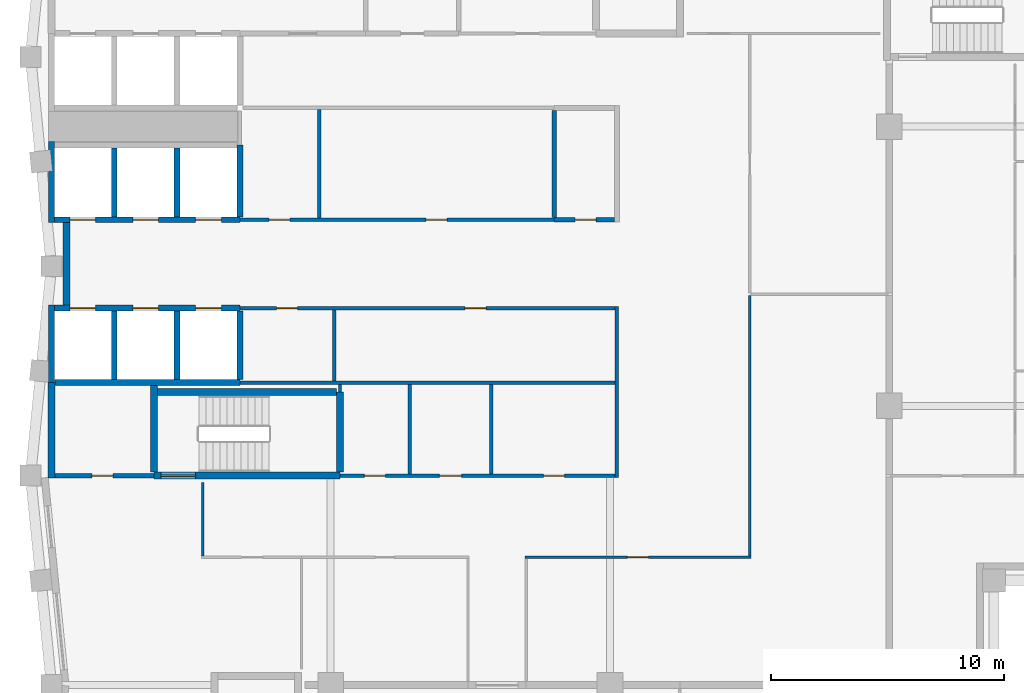
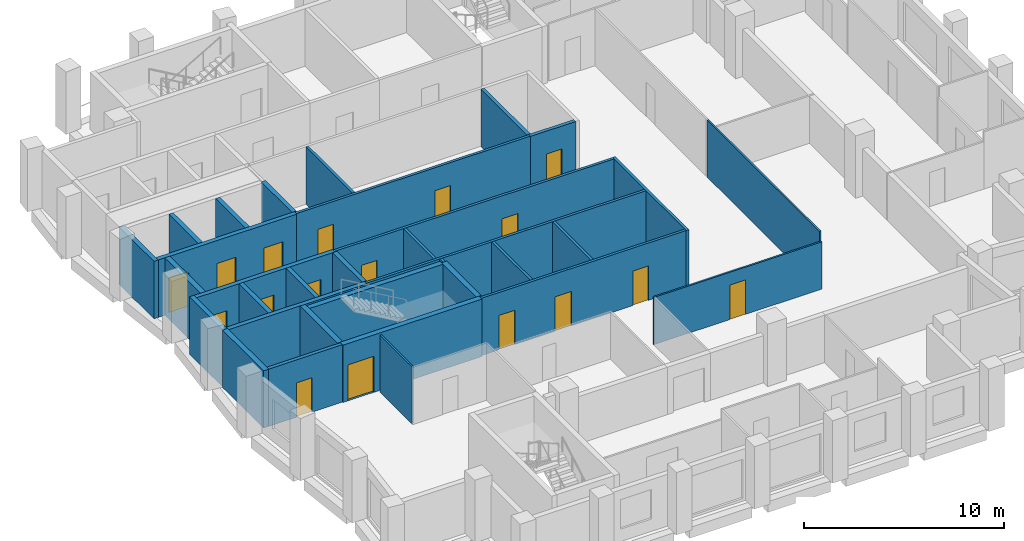
# One storey, part 3 of 7: 33 walls, 17 doors, 17 openings.
"""IFC4 building model written with IfcOpenShell, lengths in metres."""

from ifc_helpers import new_model, si_unit, direction, frame, frame_2d, origin, place, context, subcontext, project, spatial, rectangle, extrude, material, layer, layer_set, type_object, element, fill, save


model = new_model("IFC4")

# Units and contexts
model_context = context("Model", 3, precision=1e-05, world=origin(), true_north=direction((0.0, 1.0)))
body_context = subcontext(model_context, "Body", "Model", "MODEL_VIEW")
ifc_project = project(units=[si_unit("LENGTHUNIT", "METRE"), si_unit("AREAUNIT", "SQUARE_METRE"), si_unit("VOLUMEUNIT", "CUBIC_METRE"), si_unit("PLANEANGLEUNIT", "RADIAN"), si_unit("MASSUNIT", "GRAM", prefix="KILO")], contexts=[model_context])

# Site, building, storey
site_placement = place(None, origin())
site = spatial("IfcSite", under=ifc_project, at=site_placement, CompositionType="ELEMENT")
building_placement = place(site_placement, origin())
building = spatial("IfcBuilding", under=site, at=building_placement, Name="Brondeck Convention Tower", CompositionType="ELEMENT")
storey_placement = place(building_placement, frame((0.0, 0.0, 267.60009765625)))
storey = spatial("IfcBuildingStorey", under=building, at=storey_placement, Name="L66", CompositionType="ELEMENT", Elevation=267.60009765625)

# Wall, openings, doors
ifc_material_1 = material(Name="Concrete C50/60", Category="concrete")
ifc_layer_1 = layer(ifc_material_1, 0.14990234375)
ifc_layer_set_1 = layer_set([ifc_layer_1], Name="Core beam-seat wall 150 Concrete C50/60")
wall_type_1 = type_object("IfcWallType", Name="Core beam-seat wall 150 Concrete C50/60", PredefinedType="SHEAR", material=ifc_layer_set_1)
wall_1_placement = place(storey_placement, frame((12.39990234375, 36.0, 0.0), z_axis=(0.0, 0.0, 1.0), x_axis=(1.0, 0.0, 0.0)))
wall_1 = element("IfcWall", 1, at=wall_1_placement, inside=storey, type_object=wall_type_1, Name="L66 core wall", PredefinedType="SHEAR", context=body_context, shape_type="SweptSolid", body=[
    extrude(rectangle(XDim=11.8251953125, YDim=0.14990234375, at=frame_2d((5.91259765625, 0.0))), origin(), (0.0, 0.0, 1.0), 3.5),
])
opening_1_placement = place(wall_1_placement, frame((1.050048828125, 0.0, 0.0)))
opening_1 = element("IfcOpeningElement", 2, at=opening_1_placement, cuts=wall_1, Name="Opening C37-03", PredefinedType="OPENING", context=body_context, shape_type="SweptSolid", body=[
    extrude(rectangle(XDim=0.89990234375, YDim=2.10009765625, at=frame_2d((0.449951171875, 1.050048828125))), frame((0.0, 0.0849609375, 0.0), z_axis=(0.0, -1.0, 0.0), x_axis=(1.0, 0.0, 0.0)), (0.0, 0.0, 1.0), 0.169921875),
])
opening_2_placement = place(wall_1_placement, frame((4.27490234375, 0.0, 0.0)))
opening_2 = element("IfcOpeningElement", 3, at=opening_2_placement, cuts=wall_1, Name="Opening C37-04", PredefinedType="OPENING", context=body_context, shape_type="SweptSolid", body=[
    extrude(rectangle(XDim=0.949951171875, YDim=2.10009765625, at=frame_2d((0.47509765625, 1.050048828125))), frame((0.0, 0.0849609375, 0.0), z_axis=(0.0, -1.0, 0.0), x_axis=(1.0, 0.0, 0.0)), (0.0, 0.0, 1.0), 0.169921875),
])
opening_3_placement = place(wall_1_placement, frame((8.75, 0.0, 0.0)))
opening_3 = element("IfcOpeningElement", 4, at=opening_3_placement, cuts=wall_1, Name="Opening C37-05", PredefinedType="OPENING", context=body_context, shape_type="SweptSolid", body=[
    extrude(rectangle(XDim=0.89990234375, YDim=2.10009765625, at=frame_2d((0.449951171875, 1.050048828125))), frame((0.0, 0.0849609375, 0.0), z_axis=(0.0, -1.0, 0.0), x_axis=(1.0, 0.0, 0.0)), (0.0, 0.0, 1.0), 0.169921875),
])
ifc_material_2 = material(Name="Steel fire door", Category="steel")
door_type_1 = type_object("IfcDoorType", Name="Room door 900x2100 EI 60", OperationType="NOTDEFINED", PredefinedType="DOOR", material=ifc_material_2)
door_1_placement = place(opening_1_placement, origin())
door_1 = element("IfcDoor", 5, at=door_1_placement, inside=storey, type_object=door_type_1, Name="L66 Room door FR-1", OperationType="SINGLE_SWING_RIGHT", OverallHeight=2.10009765625, OverallWidth=0.89990234375, PredefinedType="DOOR", context=body_context, shape_type="SweptSolid", body=[
    extrude(rectangle(XDim=0.89990234375, YDim=2.10009765625, at=frame_2d((0.449951171875, 1.050048828125))), frame((0.0, 0.02490234375, 0.0), z_axis=(0.0, -1.0, 0.0), x_axis=(1.0, 0.0, 0.0)), (0.0, 0.0, 1.0), 0.050048828125),
])
fill(opening_1, door_1)
door_2_placement = place(opening_3_placement, origin())
door_2 = element("IfcDoor", 6, at=door_2_placement, inside=storey, type_object=door_type_1, Name="L66 Room door FR-3", OperationType="SINGLE_SWING_RIGHT", OverallHeight=2.10009765625, OverallWidth=0.89990234375, PredefinedType="DOOR", context=body_context, shape_type="SweptSolid", body=[
    extrude(rectangle(XDim=0.89990234375, YDim=2.10009765625, at=frame_2d((0.449951171875, 1.050048828125))), frame((0.0, 0.02490234375, 0.0), z_axis=(0.0, -1.0, 0.0), x_axis=(1.0, 0.0, 0.0)), (0.0, 0.0, 1.0), 0.050048828125),
])
fill(opening_3, door_2)
door_type_2 = type_object("IfcDoorType", Name="Room door 950x2100 EI 60", OperationType="NOTDEFINED", PredefinedType="DOOR", material=ifc_material_2)
door_3_placement = place(opening_2_placement, origin())
door_3 = element("IfcDoor", 7, at=door_3_placement, inside=storey, type_object=door_type_2, Name="L66 Room door FR-2", OperationType="SINGLE_SWING_LEFT", OverallHeight=2.10009765625, OverallWidth=0.949951171875, PredefinedType="DOOR", context=body_context, shape_type="SweptSolid", body=[
    extrude(rectangle(XDim=0.949951171875, YDim=2.10009765625, at=frame_2d((0.47509765625, 1.050048828125))), frame((0.0, 0.02490234375, 0.0), z_axis=(0.0, -1.0, 0.0), x_axis=(1.0, 0.0, 0.0)), (0.0, 0.0, 1.0), 0.050048828125),
])
fill(opening_2, door_3)

# Walls
ifc_layer_2 = layer(ifc_material_1, 0.300048828125)
ifc_layer_set_2 = layer_set([ifc_layer_2], Name="Core outer wall 300 Concrete C50/60")
wall_type_2 = type_object("IfcWallType", Name="Core outer wall 300 Concrete C50/60", PredefinedType="SHEAR", material=ifc_layer_set_2)
wall_2_placement = place(storey_placement, frame((0.0, 35.89990234375, 0.0), z_axis=(0.0, 0.0, 1.0), x_axis=(0.0, 1.0, 0.0)))
element("IfcWall", 8, at=wall_2_placement, inside=storey, type_object=wall_type_2, Name="L66 core wall", PredefinedType="SHEAR", context=body_context, shape_type="SweptSolid", body=[
    extrude(rectangle(XDim=4.10009765625, YDim=0.300048828125, at=frame_2d((2.050048828125, 0.0))), origin(), (0.0, 0.0, 1.0), 3.5),
])
wall_3_placement = place(storey_placement, frame((0.64990234375, 43.324951171875, 0.0), z_axis=(0.0, 0.0, 1.0), x_axis=(0.0, 1.0, 0.0)))
element("IfcWall", 9, at=wall_3_placement, inside=storey, type_object=wall_type_2, Name="L66 core wall", PredefinedType="SHEAR", context=body_context, shape_type="SweptSolid", body=[
    extrude(rectangle(XDim=3.550048828125, YDim=0.300048828125, at=frame_2d((1.77490234375, 0.0))), origin(), (0.0, 0.0, 1.0), 3.5),
])
ifc_material_3 = material(Name="Fire-rated gypsum board partition")
ifc_layer_3 = layer(ifc_material_3, 0.14990234375)
ifc_layer_set_3 = layer_set([ifc_layer_3], Name="Core partition 150 EI 60")
wall_type_3 = type_object("IfcWallType", Name="Core partition 150 EI 60", PredefinedType="PARTITIONING", material=ifc_layer_set_3)
wall_4_placement = place(storey_placement, frame((8.10009765625, 40.0, 0.0), z_axis=(0.0, 0.0, 1.0), x_axis=(1.0, 0.0, 0.0)))
element("IfcWall", 10, at=wall_4_placement, inside=storey, type_object=wall_type_3, Name="L66 core wall", PredefinedType="PARTITIONING", context=body_context, shape_type="SweptSolid", body=[
    extrude(rectangle(XDim=16.125, YDim=0.14990234375, at=frame_2d((8.0625, 0.0))), origin(), (0.0, 0.0, 1.0), 3.5),
])

# Wall, openings, doors
wall_5_placement = place(storey_placement, frame((8.10009765625, 43.199951171875, 0.0), z_axis=(0.0, 0.0, 1.0), x_axis=(1.0, 0.0, 0.0)))
wall_5 = element("IfcWall", 11, at=wall_5_placement, inside=storey, type_object=wall_type_3, Name="L66 core wall", PredefinedType="PARTITIONING", context=body_context, shape_type="SweptSolid", body=[
    extrude(rectangle(XDim=16.125, YDim=0.14990234375, at=frame_2d((8.0625, 0.0))), origin(), (0.0, 0.0, 1.0), 3.5),
])
opening_4_placement = place(wall_5_placement, frame((1.574951171875, 0.0, 0.0)))
opening_4 = element("IfcOpeningElement", 12, at=opening_4_placement, cuts=wall_5, Name="Opening C37-09", PredefinedType="OPENING", context=body_context, shape_type="SweptSolid", body=[
    extrude(rectangle(XDim=0.89990234375, YDim=2.10009765625, at=frame_2d((0.449951171875, 1.050048828125))), frame((0.0, 0.0849609375, 0.0), z_axis=(0.0, -1.0, 0.0), x_axis=(1.0, 0.0, 0.0)), (0.0, 0.0, 1.0), 0.169921875),
])
opening_5_placement = place(wall_5_placement, frame((9.675048828125, 0.0, 0.0)))
opening_5 = element("IfcOpeningElement", 13, at=opening_5_placement, cuts=wall_5, Name="Opening C37-10", PredefinedType="OPENING", context=body_context, shape_type="SweptSolid", body=[
    extrude(rectangle(XDim=0.89990234375, YDim=2.10009765625, at=frame_2d((0.449951171875, 1.050048828125))), frame((0.0, 0.0849609375, 0.0), z_axis=(0.0, -1.0, 0.0), x_axis=(1.0, 0.0, 0.0)), (0.0, 0.0, 1.0), 0.169921875),
])
door_4_placement = place(opening_4_placement, origin())
door_4 = element("IfcDoor", 14, at=door_4_placement, inside=storey, type_object=door_type_1, Name="L66 Room door FZ-S-8.1-1", OperationType="SINGLE_SWING_RIGHT", OverallHeight=2.10009765625, OverallWidth=0.89990234375, PredefinedType="DOOR", context=body_context, shape_type="SweptSolid", body=[
    extrude(rectangle(XDim=0.89990234375, YDim=2.10009765625, at=frame_2d((0.449951171875, 1.050048828125))), frame((0.0, 0.02490234375, 0.0), z_axis=(0.0, -1.0, 0.0), x_axis=(1.0, 0.0, 0.0)), (0.0, 0.0, 1.0), 0.050048828125),
])
fill(opening_4, door_4)
door_5_placement = place(opening_5_placement, origin())
door_5 = element("IfcDoor", 15, at=door_5_placement, inside=storey, type_object=door_type_1, Name="L66 Room door FZ-S-8.1-2", OperationType="SINGLE_SWING_LEFT", OverallHeight=2.10009765625, OverallWidth=0.89990234375, PredefinedType="DOOR", context=body_context, shape_type="SweptSolid", body=[
    extrude(rectangle(XDim=0.89990234375, YDim=2.10009765625, at=frame_2d((0.449951171875, 1.050048828125))), frame((0.0, 0.02490234375, 0.0), z_axis=(0.0, -1.0, 0.0), x_axis=(1.0, 0.0, 0.0)), (0.0, 0.0, 1.0), 0.050048828125),
])
fill(opening_5, door_5)

wall_6_placement = place(storey_placement, frame((8.10009765625, 47.0, 0.0), z_axis=(0.0, 0.0, 1.0), x_axis=(1.0, 0.0, 0.0)))
wall_6 = element("IfcWall", 16, at=wall_6_placement, inside=storey, type_object=wall_type_3, Name="L66 core wall", PredefinedType="PARTITIONING", context=body_context, shape_type="SweptSolid", body=[
    extrude(rectangle(XDim=13.5, YDim=0.14990234375, at=frame_2d((6.75, 0.0))), origin(), (0.0, 0.0, 1.0), 3.5),
])
opening_6_placement = place(wall_6_placement, frame((1.25, 0.0, 0.0)))
opening_6 = element("IfcOpeningElement", 17, at=opening_6_placement, cuts=wall_6, Name="Opening C37-07", PredefinedType="OPENING", context=body_context, shape_type="SweptSolid", body=[
    extrude(rectangle(XDim=0.89990234375, YDim=2.10009765625, at=frame_2d((0.449951171875, 1.050048828125))), frame((0.0, 0.0849609375, 0.0), z_axis=(0.0, -1.0, 0.0), x_axis=(1.0, 0.0, 0.0)), (0.0, 0.0, 1.0), 0.169921875),
])
opening_7_placement = place(wall_6_placement, frame((8.0, 0.0, 0.0)))
opening_7 = element("IfcOpeningElement", 18, at=opening_7_placement, cuts=wall_6, Name="Opening C37-08", PredefinedType="OPENING", context=body_context, shape_type="SweptSolid", body=[
    extrude(rectangle(XDim=0.89990234375, YDim=2.10009765625, at=frame_2d((0.449951171875, 1.050048828125))), frame((0.0, 0.0849609375, 0.0), z_axis=(0.0, -1.0, 0.0), x_axis=(1.0, 0.0, 0.0)), (0.0, 0.0, 1.0), 0.169921875),
])
door_6_placement = place(opening_6_placement, origin())
door_6 = element("IfcDoor", 19, at=door_6_placement, inside=storey, type_object=door_type_1, Name="L66 Room door FZ-N-8.1-1", OperationType="SINGLE_SWING_LEFT", OverallHeight=2.10009765625, OverallWidth=0.89990234375, PredefinedType="DOOR", context=body_context, shape_type="SweptSolid", body=[
    extrude(rectangle(XDim=0.89990234375, YDim=2.10009765625, at=frame_2d((0.449951171875, 1.050048828125))), frame((0.0, 0.02490234375, 0.0), z_axis=(0.0, -1.0, 0.0), x_axis=(1.0, 0.0, 0.0)), (0.0, 0.0, 1.0), 0.050048828125),
])
fill(opening_6, door_6)
door_7_placement = place(opening_7_placement, origin())
door_7 = element("IfcDoor", 20, at=door_7_placement, inside=storey, type_object=door_type_1, Name="L66 Room door FZ-N-8.1-2", OperationType="SINGLE_SWING_RIGHT", OverallHeight=2.10009765625, OverallWidth=0.89990234375, PredefinedType="DOOR", context=body_context, shape_type="SweptSolid", body=[
    extrude(rectangle(XDim=0.89990234375, YDim=2.10009765625, at=frame_2d((0.449951171875, 1.050048828125))), frame((0.0, 0.02490234375, 0.0), z_axis=(0.0, -1.0, 0.0), x_axis=(1.0, 0.0, 0.0)), (0.0, 0.0, 1.0), 0.050048828125),
])
fill(opening_7, door_7)

# Walls
wall_7_placement = place(storey_placement, frame((11.5, 47.074951171875, 0.0), z_axis=(0.0, 0.0, 1.0), x_axis=(0.0, 1.0, 0.0)))
element("IfcWall", 21, at=wall_7_placement, inside=storey, type_object=wall_type_3, Name="L66 core wall", PredefinedType="PARTITIONING", context=body_context, shape_type="SweptSolid", body=[
    extrude(rectangle(XDim=4.650146484375, YDim=0.14990234375, at=frame_2d((2.3251953125, 0.0))), origin(), (0.0, 0.0, 1.0), 3.5),
])
wall_8_placement = place(storey_placement, frame((12.14990234375, 40.074951171875, 0.0), z_axis=(0.0, 0.0, 1.0), x_axis=(0.0, 1.0, 0.0)))
element("IfcWall", 22, at=wall_8_placement, inside=storey, type_object=wall_type_3, Name="L66 core wall", PredefinedType="PARTITIONING", context=body_context, shape_type="SweptSolid", body=[
    extrude(rectangle(XDim=3.050048828125, YDim=0.14990234375, at=frame_2d((1.52490234375, 0.0))), origin(), (0.0, 0.0, 1.0), 3.5),
])
wall_9_placement = place(storey_placement, frame((12.39990234375, 39.60009765625, 0.0), z_axis=(0.0, 0.0, 1.0), x_axis=(0.0, 1.0, 0.0)))
element("IfcWall", 23, at=wall_9_placement, inside=storey, type_object=wall_type_3, Name="L66 core wall", PredefinedType="PARTITIONING", context=body_context, shape_type="SweptSolid", body=[
    extrude(rectangle(XDim=0.324951171875, YDim=0.14990234375, at=frame_2d((0.16259765625, 0.0))), origin(), (0.0, 0.0, 1.0), 3.5),
])
for number, where, z_axis, x_axis, name in (
    (24, (15.39990234375, 36.074951171875, 0.0), (0.0, 0.0, 1.0), (0.0, 1.0, 0.0), "L66 core wall"),
    (25, (18.89990234375, 36.074951171875, 0.0), (0.0, 0.0, 1.0), (0.0, 1.0, 0.0), "L66 core wall"),
):
    element("IfcWall", number, at=place(storey_placement, frame(where, z_axis=z_axis, x_axis=x_axis)), inside=storey, type_object=wall_type_3, Name=name, PredefinedType="PARTITIONING", context=body_context, shape_type="SweptSolid", body=[
        extrude(rectangle(XDim=3.85009765625, YDim=0.14990234375, at=frame_2d((1.925048828125, 0.0))), origin(), (0.0, 0.0, 1.0), 3.5),
    ])
wall_10_placement = place(storey_placement, frame((24.300048828125, 35.925048828125, 0.0), z_axis=(0.0, 0.0, 1.0), x_axis=(0.0, 1.0, 0.0)))
element("IfcWall", 26, at=wall_10_placement, inside=storey, type_object=wall_type_3, Name="L66 core wall", PredefinedType="PARTITIONING", context=body_context, shape_type="SweptSolid", body=[
    extrude(rectangle(XDim=7.349853515625, YDim=0.14990234375, at=frame_2d((3.6748046875, 0.0))), origin(), (0.0, 0.0, 1.0), 3.5),
])
ifc_layer_4 = layer(ifc_material_1, 0.25)
ifc_layer_set_4 = layer_set([ifc_layer_4], Name="Lift shaft wall 250 Concrete C50/60")
wall_type_4 = type_object("IfcWallType", Name="Lift shaft wall 250 Concrete C50/60", PredefinedType="SHEAR", material=ifc_layer_set_4)
wall_11_placement = place(storey_placement, frame((0.14990234375, 40.0, 0.0), z_axis=(0.0, 0.0, 1.0), x_axis=(1.0, 0.0, 0.0)))
element("IfcWall", 27, at=wall_11_placement, inside=storey, type_object=wall_type_4, Name="L66 core wall", PredefinedType="SHEAR", context=body_context, shape_type="SweptSolid", body=[
    extrude(rectangle(XDim=7.9501953125, YDim=0.25, at=frame_2d((3.97509765625, 0.0))), origin(), (0.0, 0.0, 1.0), 3.5),
])

# Wall, openings, doors
wall_12_placement = place(storey_placement, frame((0.125, 43.199951171875, 0.0), z_axis=(0.0, 0.0, 1.0), x_axis=(1.0, 0.0, 0.0)))
wall_12 = element("IfcWall", 28, at=wall_12_placement, inside=storey, type_object=wall_type_4, Name="L66 core wall", PredefinedType="SHEAR", context=body_context, shape_type="SweptSolid", body=[
    extrude(rectangle(XDim=7.97509765625, YDim=0.25, at=frame_2d((3.987548828125, 0.0))), origin(), (0.0, 0.0, 1.0), 3.5),
])
opening_8_placement = place(wall_12_placement, frame((0.675048828125, 0.0, 0.0)))
opening_8 = element("IfcOpeningElement", 29, at=opening_8_placement, cuts=wall_12, Name="Opening C37-21", PredefinedType="OPENING", context=body_context, shape_type="SweptSolid", body=[
    extrude(rectangle(XDim=1.10009765625, YDim=2.10009765625, at=frame_2d((0.550048828125, 1.050048828125))), frame((0.0, 0.135009765625, 0.0), z_axis=(0.0, -1.0, 0.0), x_axis=(1.0, 0.0, 0.0)), (0.0, 0.0, 1.0), 0.27001953125),
])
opening_9_placement = place(wall_12_placement, frame((3.375, 0.0, 0.0)))
opening_9 = element("IfcOpeningElement", 30, at=opening_9_placement, cuts=wall_12, Name="Opening C37-22", PredefinedType="OPENING", context=body_context, shape_type="SweptSolid", body=[
    extrude(rectangle(XDim=1.10009765625, YDim=2.10009765625, at=frame_2d((0.550048828125, 1.050048828125))), frame((0.0, 0.135009765625, 0.0), z_axis=(0.0, -1.0, 0.0), x_axis=(1.0, 0.0, 0.0)), (0.0, 0.0, 1.0), 0.27001953125),
])
opening_10_placement = place(wall_12_placement, frame((6.074951171875, 0.0, 0.0)))
opening_10 = element("IfcOpeningElement", 31, at=opening_10_placement, cuts=wall_12, Name="Opening C37-23", PredefinedType="OPENING", context=body_context, shape_type="SweptSolid", body=[
    extrude(rectangle(XDim=1.10009765625, YDim=2.10009765625, at=frame_2d((0.550048828125, 1.050048828125))), frame((0.0, 0.135009765625, 0.0), z_axis=(0.0, -1.0, 0.0), x_axis=(1.0, 0.0, 0.0)), (0.0, 0.0, 1.0), 0.27001953125),
])
ifc_material_4 = material(Name="Stainless steel lift door", Category="steel")
door_type_3 = type_object("IfcDoorType", Name="Lift landing door 1100x2100 EI 180", OperationType="DOUBLE_DOOR_SLIDING", PredefinedType="DOOR", material=ifc_material_4)
door_8_placement = place(opening_8_placement, origin())
door_8 = element("IfcDoor", 32, at=door_8_placement, inside=storey, type_object=door_type_3, Name="L66 Lift landing door HR1", OperationType="DOUBLE_DOOR_SLIDING", OverallHeight=2.10009765625, OverallWidth=1.10009765625, PredefinedType="DOOR", context=body_context, shape_type="SweptSolid", body=[
    extrude(rectangle(XDim=1.10009765625, YDim=2.10009765625, at=frame_2d((0.550048828125, 1.050048828125))), frame((0.0, 0.02490234375, 0.0), z_axis=(0.0, -1.0, 0.0), x_axis=(1.0, 0.0, 0.0)), (0.0, 0.0, 1.0), 0.050048828125),
])
fill(opening_8, door_8)
door_9_placement = place(opening_9_placement, origin())
door_9 = element("IfcDoor", 33, at=door_9_placement, inside=storey, type_object=door_type_3, Name="L66 Lift landing door HR2", OperationType="DOUBLE_DOOR_SLIDING", OverallHeight=2.10009765625, OverallWidth=1.10009765625, PredefinedType="DOOR", context=body_context, shape_type="SweptSolid", body=[
    extrude(rectangle(XDim=1.10009765625, YDim=2.10009765625, at=frame_2d((0.550048828125, 1.050048828125))), frame((0.0, 0.02490234375, 0.0), z_axis=(0.0, -1.0, 0.0), x_axis=(1.0, 0.0, 0.0)), (0.0, 0.0, 1.0), 0.050048828125),
])
fill(opening_9, door_9)
door_10_placement = place(opening_10_placement, origin())
door_10 = element("IfcDoor", 34, at=door_10_placement, inside=storey, type_object=door_type_3, Name="L66 Lift landing door HR3", OperationType="DOUBLE_DOOR_SLIDING", OverallHeight=2.10009765625, OverallWidth=1.10009765625, PredefinedType="DOOR", context=body_context, shape_type="SweptSolid", body=[
    extrude(rectangle(XDim=1.10009765625, YDim=2.10009765625, at=frame_2d((0.550048828125, 1.050048828125))), frame((0.0, 0.02490234375, 0.0), z_axis=(0.0, -1.0, 0.0), x_axis=(1.0, 0.0, 0.0)), (0.0, 0.0, 1.0), 0.050048828125),
])
fill(opening_10, door_10)

wall_13_placement = place(storey_placement, frame((0.125, 47.0, 0.0), z_axis=(0.0, 0.0, 1.0), x_axis=(1.0, 0.0, 0.0)))
wall_13 = element("IfcWall", 35, at=wall_13_placement, inside=storey, type_object=wall_type_4, Name="L66 core wall", PredefinedType="SHEAR", context=body_context, shape_type="SweptSolid", body=[
    extrude(rectangle(XDim=7.97509765625, YDim=0.25, at=frame_2d((3.987548828125, 0.0))), origin(), (0.0, 0.0, 1.0), 3.5),
])
opening_11_placement = place(wall_13_placement, frame((0.675048828125, 0.0, 0.0)))
opening_11 = element("IfcOpeningElement", 36, at=opening_11_placement, cuts=wall_13, Name="Opening C37-24", PredefinedType="OPENING", context=body_context, shape_type="SweptSolid", body=[
    extrude(rectangle(XDim=1.10009765625, YDim=2.10009765625, at=frame_2d((0.550048828125, 1.050048828125))), frame((0.0, 0.135009765625, 0.0), z_axis=(0.0, -1.0, 0.0), x_axis=(1.0, 0.0, 0.0)), (0.0, 0.0, 1.0), 0.27001953125),
])
opening_12_placement = place(wall_13_placement, frame((3.375, 0.0, 0.0)))
opening_12 = element("IfcOpeningElement", 37, at=opening_12_placement, cuts=wall_13, Name="Opening C37-25", PredefinedType="OPENING", context=body_context, shape_type="SweptSolid", body=[
    extrude(rectangle(XDim=1.10009765625, YDim=2.10009765625, at=frame_2d((0.550048828125, 1.050048828125))), frame((0.0, 0.135009765625, 0.0), z_axis=(0.0, -1.0, 0.0), x_axis=(1.0, 0.0, 0.0)), (0.0, 0.0, 1.0), 0.27001953125),
])
opening_13_placement = place(wall_13_placement, frame((6.074951171875, 0.0, 0.0)))
opening_13 = element("IfcOpeningElement", 38, at=opening_13_placement, cuts=wall_13, Name="Opening C37-26", PredefinedType="OPENING", context=body_context, shape_type="SweptSolid", body=[
    extrude(rectangle(XDim=1.10009765625, YDim=2.10009765625, at=frame_2d((0.550048828125, 1.050048828125))), frame((0.0, 0.135009765625, 0.0), z_axis=(0.0, -1.0, 0.0), x_axis=(1.0, 0.0, 0.0)), (0.0, 0.0, 1.0), 0.27001953125),
])
door_11_placement = place(opening_11_placement, origin())
door_11 = element("IfcDoor", 39, at=door_11_placement, inside=storey, type_object=door_type_3, Name="L66 Lift landing door HR4", OperationType="DOUBLE_DOOR_SLIDING", OverallHeight=2.10009765625, OverallWidth=1.10009765625, PredefinedType="DOOR", context=body_context, shape_type="SweptSolid", body=[
    extrude(rectangle(XDim=1.10009765625, YDim=2.10009765625, at=frame_2d((0.550048828125, 1.050048828125))), frame((0.0, 0.02490234375, 0.0), z_axis=(0.0, -1.0, 0.0), x_axis=(1.0, 0.0, 0.0)), (0.0, 0.0, 1.0), 0.050048828125),
])
fill(opening_11, door_11)
door_12_placement = place(opening_12_placement, origin())
door_12 = element("IfcDoor", 40, at=door_12_placement, inside=storey, type_object=door_type_3, Name="L66 Lift landing door HR5", OperationType="DOUBLE_DOOR_SLIDING", OverallHeight=2.10009765625, OverallWidth=1.10009765625, PredefinedType="DOOR", context=body_context, shape_type="SweptSolid", body=[
    extrude(rectangle(XDim=1.10009765625, YDim=2.10009765625, at=frame_2d((0.550048828125, 1.050048828125))), frame((0.0, 0.02490234375, 0.0), z_axis=(0.0, -1.0, 0.0), x_axis=(1.0, 0.0, 0.0)), (0.0, 0.0, 1.0), 0.050048828125),
])
fill(opening_12, door_12)
door_13_placement = place(opening_13_placement, origin())
door_13 = element("IfcDoor", 41, at=door_13_placement, inside=storey, type_object=door_type_3, Name="L66 Lift landing door HR6", OperationType="DOUBLE_DOOR_SLIDING", OverallHeight=2.10009765625, OverallWidth=1.10009765625, PredefinedType="DOOR", context=body_context, shape_type="SweptSolid", body=[
    extrude(rectangle(XDim=1.10009765625, YDim=2.10009765625, at=frame_2d((0.550048828125, 1.050048828125))), frame((0.0, 0.02490234375, 0.0), z_axis=(0.0, -1.0, 0.0), x_axis=(1.0, 0.0, 0.0)), (0.0, 0.0, 1.0), 0.050048828125),
])
fill(opening_13, door_13)

# Walls
wall_14_placement = place(storey_placement, frame((0.0, 40.0, 0.0), z_axis=(0.0, 0.0, 1.0), x_axis=(0.0, 1.0, 0.0)))
element("IfcWall", 42, at=wall_14_placement, inside=storey, type_object=wall_type_4, Name="L66 core wall", PredefinedType="SHEAR", context=body_context, shape_type="SweptSolid", body=[
    extrude(rectangle(XDim=3.324951171875, YDim=0.25, at=frame_2d((1.66259765625, 0.0))), origin(), (0.0, 0.0, 1.0), 3.5),
])
wall_15_placement = place(storey_placement, frame((0.0, 46.875, 0.0), z_axis=(0.0, 0.0, 1.0), x_axis=(0.0, 1.0, 0.0)))
element("IfcWall", 43, at=wall_15_placement, inside=storey, type_object=wall_type_4, Name="L66 core wall", PredefinedType="SHEAR", context=body_context, shape_type="SweptSolid", body=[
    extrude(rectangle(XDim=3.47509765625, YDim=0.25, at=frame_2d((1.737548828125, 0.0))), origin(), (0.0, 0.0, 1.0), 3.5),
])
for number, where, z_axis, x_axis, name in (
    (44, (2.699951171875, 40.125, 0.0), (0.0, 0.0, 1.0), (0.0, 1.0, 0.0), "L66 core wall"),
    (45, (2.699951171875, 47.125, 0.0), (0.0, 0.0, 1.0), (0.0, 1.0, 0.0), "L66 core wall"),
    (46, (5.39990234375, 40.125, 0.0), (0.0, 0.0, 1.0), (0.0, 1.0, 0.0), "L66 core wall"),
    (47, (5.39990234375, 47.125, 0.0), (0.0, 0.0, 1.0), (0.0, 1.0, 0.0), "L66 core wall"),
    (48, (8.10009765625, 40.125, 0.0), (0.0, 0.0, 1.0), (0.0, 1.0, 0.0), "L66 core wall"),
):
    element("IfcWall", number, at=place(storey_placement, frame(where, z_axis=z_axis, x_axis=x_axis)), inside=storey, type_object=wall_type_4, Name=name, PredefinedType="SHEAR", context=body_context, shape_type="SweptSolid", body=[
        extrude(rectangle(XDim=2.949951171875, YDim=0.25, at=frame_2d((1.47509765625, 0.0))), origin(), (0.0, 0.0, 1.0), 3.5),
    ])
wall_16_placement = place(storey_placement, frame((8.10009765625, 47.125, 0.0), z_axis=(0.0, 0.0, 1.0), x_axis=(0.0, 1.0, 0.0)))
element("IfcWall", 49, at=wall_16_placement, inside=storey, type_object=wall_type_4, Name="L66 core wall", PredefinedType="SHEAR", context=body_context, shape_type="SweptSolid", body=[
    extrude(rectangle(XDim=3.074951171875, YDim=0.25, at=frame_2d((1.53759765625, 0.0))), origin(), (0.0, 0.0, 1.0), 3.5),
])

# Wall, opening, door
ifc_layer_5 = layer(ifc_material_3, 0.199951171875)
ifc_layer_set_5 = layer_set([ifc_layer_5], Name="Riser wall 200 EI 120")
wall_type_5 = type_object("IfcWallType", Name="Riser wall 200 EI 120", PredefinedType="PARTITIONING", material=ifc_layer_set_5)
wall_17_placement = place(storey_placement, frame((0.14990234375, 36.0, 0.0), z_axis=(0.0, 0.0, 1.0), x_axis=(1.0, 0.0, 0.0)))
wall_17 = element("IfcWall", 50, at=wall_17_placement, inside=storey, type_object=wall_type_5, Name="L66 core wall", PredefinedType="PARTITIONING", context=body_context, shape_type="SweptSolid", body=[
    extrude(rectangle(XDim=4.25, YDim=0.199951171875, at=frame_2d((2.125, 0.0))), origin(), (0.0, 0.0, 1.0), 3.5),
])
opening_14_placement = place(wall_17_placement, frame((1.60009765625, 0.0, 0.0)))
opening_14 = element("IfcOpeningElement", 51, at=opening_14_placement, cuts=wall_17, Name="Opening C37-06", PredefinedType="OPENING", context=body_context, shape_type="SweptSolid", body=[
    extrude(rectangle(XDim=0.89990234375, YDim=2.10009765625, at=frame_2d((0.449951171875, 1.050048828125))), frame((0.0, 0.10986328125, 0.0), z_axis=(0.0, -1.0, 0.0), x_axis=(1.0, 0.0, 0.0)), (0.0, 0.0, 1.0), 0.219970703125),
])
door_type_4 = type_object("IfcDoorType", Name="Riser door 900x2100 EI 120", OperationType="NOTDEFINED", PredefinedType="DOOR", material=ifc_material_2)
door_14_placement = place(opening_14_placement, origin())
door_14 = element("IfcDoor", 52, at=door_14_placement, inside=storey, type_object=door_type_4, Name="L66 Riser door FRW-1", OperationType="SINGLE_SWING_LEFT", OverallHeight=2.10009765625, OverallWidth=0.89990234375, PredefinedType="DOOR", context=body_context, shape_type="SweptSolid", body=[
    extrude(rectangle(XDim=0.89990234375, YDim=2.10009765625, at=frame_2d((0.449951171875, 1.050048828125))), frame((0.0, 0.02490234375, 0.0), z_axis=(0.0, -1.0, 0.0), x_axis=(1.0, 0.0, 0.0)), (0.0, 0.0, 1.0), 0.050048828125),
])
fill(opening_14, door_14)

wall_18_placement = place(storey_placement, frame((21.60009765625, 47.0, 0.0), z_axis=(0.0, 0.0, 1.0), x_axis=(1.0, 0.0, 0.0)))
wall_18 = element("IfcWall", 53, at=wall_18_placement, inside=storey, type_object=wall_type_5, Name="L66 core wall", PredefinedType="PARTITIONING", context=body_context, shape_type="SweptSolid", body=[
    extrude(rectangle(XDim=2.599853515625, YDim=0.199951171875, at=frame_2d((1.2998046875, 0.0))), origin(), (0.0, 0.0, 1.0), 3.5),
])
opening_15_placement = place(wall_18_placement, frame((0.89990234375, 0.0, 0.0)))
opening_15 = element("IfcOpeningElement", 54, at=opening_15_placement, cuts=wall_18, Name="Opening C37-02", PredefinedType="OPENING", context=body_context, shape_type="SweptSolid", body=[
    extrude(rectangle(XDim=0.89990234375, YDim=2.10009765625, at=frame_2d((0.449951171875, 1.050048828125))), frame((0.0, 0.10986328125, 0.0), z_axis=(0.0, -1.0, 0.0), x_axis=(1.0, 0.0, 0.0)), (0.0, 0.0, 1.0), 0.219970703125),
])
door_15_placement = place(opening_15_placement, origin())
door_15 = element("IfcDoor", 55, at=door_15_placement, inside=storey, type_object=door_type_4, Name="L66 Riser door EN-1", OperationType="SINGLE_SWING_LEFT", OverallHeight=2.10009765625, OverallWidth=0.89990234375, PredefinedType="DOOR", context=body_context, shape_type="SweptSolid", body=[
    extrude(rectangle(XDim=0.89990234375, YDim=2.10009765625, at=frame_2d((0.449951171875, 1.050048828125))), frame((0.0, 0.02490234375, 0.0), z_axis=(0.0, -1.0, 0.0), x_axis=(1.0, 0.0, 0.0)), (0.0, 0.0, 1.0), 0.050048828125),
])
fill(opening_15, door_15)

# Wall
wall_19_placement = place(storey_placement, frame((21.60009765625, 47.10009765625, 0.0), z_axis=(0.0, 0.0, 1.0), x_axis=(0.0, 1.0, 0.0)))
element("IfcWall", 56, at=wall_19_placement, inside=storey, type_object=wall_type_5, Name="L66 core wall", PredefinedType="PARTITIONING", context=body_context, shape_type="SweptSolid", body=[
    extrude(rectangle(XDim=4.599853515625, YDim=0.199951171875, at=frame_2d((2.2998046875, 0.0))), origin(), (0.0, 0.0, 1.0), 3.5),
])

# Wall, opening, door
ifc_material_5 = material(Name="Gypsum board partition on steel studs", Category="steel")
ifc_layer_6 = layer(ifc_material_5, 0.10009765625)
ifc_layer_set_6 = layer_set([ifc_layer_6], Name="Room partition 100")
wall_type_6 = type_object("IfcWallType", Name="Room partition 100", PredefinedType="PARTITIONING", material=ifc_layer_set_6)
wall_20_placement = place(storey_placement, frame((30.050048828125, 32.5, 0.0), z_axis=(0.0, 0.0, 1.0), x_axis=(-1.0, 0.0, 0.0)))
wall_20 = element("IfcWall", 57, at=wall_20_placement, inside=storey, type_object=wall_type_6, Name="FLR-L66-W027", PredefinedType="PARTITIONING", context=body_context, shape_type="SweptSolid", body=[
    extrude(rectangle(XDim=9.699951171875, YDim=0.10009765625, at=frame_2d((4.85009765625, 0.0))), origin(), (0.0, 0.0, 1.0), 2.8798828125),
])
opening_16_placement = place(wall_20_placement, frame((4.39990234375, 0.0, 0.0)))
opening_16 = element("IfcOpeningElement", 58, at=opening_16_placement, cuts=wall_20, Name="Opening EX-C-016", PredefinedType="OPENING", context=body_context, shape_type="SweptSolid", body=[
    extrude(rectangle(XDim=0.89990234375, YDim=2.10009765625, at=frame_2d((0.449951171875, 1.050048828125))), frame((0.0, 0.06005859375, 0.0), z_axis=(0.0, -1.0, 0.0), x_axis=(1.0, 0.0, 0.0)), (0.0, 0.0, 1.0), 0.1201171875),
])
ifc_material_6 = material(Name="Solid timber door leaf", Category="wood")
door_type_5 = type_object("IfcDoorType", Name="Single door 900", OperationType="NOTDEFINED", PredefinedType="DOOR", material=ifc_material_6)
door_16_placement = place(opening_16_placement, origin())
door_16 = element("IfcDoor", 59, at=door_16_placement, inside=storey, type_object=door_type_5, Name="Door EX-C-016", OperationType="SINGLE_SWING_LEFT", OverallHeight=2.10009765625, OverallWidth=0.89990234375, PredefinedType="DOOR", context=body_context, shape_type="SweptSolid", body=[
    extrude(rectangle(XDim=0.89990234375, YDim=2.10009765625, at=frame_2d((0.449951171875, 1.050048828125))), frame((0.0, 0.02490234375, 0.0), z_axis=(0.0, -1.0, 0.0), x_axis=(1.0, 0.0, 0.0)), (0.0, 0.0, 1.0), 0.050048828125),
])
fill(opening_16, door_16)

# Walls
wall_21_placement = place(storey_placement, frame((6.5, 32.550048828125, 0.0), z_axis=(0.0, 0.0, 1.0), x_axis=(0.0, 1.0, 0.0)))
element("IfcWall", 60, at=wall_21_placement, inside=storey, type_object=wall_type_6, Name="FLR-L66-W028", PredefinedType="PARTITIONING", context=body_context, shape_type="SweptSolid", body=[
    extrude(rectangle(XDim=3.14990234375, YDim=0.10009765625, at=frame_2d((1.574951171875, 0.0))), origin(), (0.0, 0.0, 1.0), 3.47998046875),
])
wall_22_placement = place(storey_placement, frame((30.0, 43.75, 0.0), z_axis=(0.0, 0.0, 1.0), x_axis=(0.0, -1.0, 0.0)))
element("IfcWall", 61, at=wall_22_placement, inside=storey, type_object=wall_type_6, Name="FLR-L66-W035", PredefinedType="PARTITIONING", context=body_context, shape_type="SweptSolid", body=[
    extrude(rectangle(XDim=11.199951171875, YDim=0.10009765625, at=frame_2d((5.60009765625, 0.0))), origin(), (0.0, 0.0, 1.0), 3.47998046875),
])

# Wall, opening, door
ifc_layer_7 = layer(ifc_material_1, 0.300048828125)
ifc_layer_set_7 = layer_set([ifc_layer_7], Name="Stair enclosure wall 300 Concrete C50/60")
wall_type_7 = type_object("IfcWallType", Name="Stair enclosure wall 300 Concrete C50/60", PredefinedType="SHEAR", material=ifc_layer_set_7)
wall_23_placement = place(storey_placement, frame((4.39990234375, 36.0, 0.0), z_axis=(0.0, 0.0, 1.0), x_axis=(1.0, 0.0, 0.0)))
wall_23 = element("IfcWall", 62, at=wall_23_placement, inside=storey, type_object=wall_type_7, Name="L66 core wall", PredefinedType="SHEAR", context=body_context, shape_type="SweptSolid", body=[
    extrude(rectangle(XDim=8.0, YDim=0.300048828125, at=frame_2d((4.0, 0.0))), origin(), (0.0, 0.0, 1.0), 3.5),
])
opening_17_placement = place(wall_23_placement, frame((0.300048828125, 0.0, 0.0)))
opening_17 = element("IfcOpeningElement", 63, at=opening_17_placement, cuts=wall_23, Name="Opening C37-13", PredefinedType="OPENING", context=body_context, shape_type="SweptSolid", body=[
    extrude(rectangle(XDim=1.5, YDim=2.199951171875, at=frame_2d((0.75, 1.10009765625))), frame((0.0, 0.159912109375, 0.0), z_axis=(0.0, -1.0, 0.0), x_axis=(1.0, 0.0, 0.0)), (0.0, 0.0, 1.0), 0.320068359375),
])
door_type_6 = type_object("IfcDoorType", Name="Stair door 1500x2200 EI 90", OperationType="NOTDEFINED", PredefinedType="DOOR", material=ifc_material_2)
door_17_placement = place(opening_17_placement, origin())
door_17 = element("IfcDoor", 64, at=door_17_placement, inside=storey, type_object=door_type_6, Name="L66 Stair door ST-1", OperationType="SINGLE_SWING_RIGHT", OverallHeight=2.199951171875, OverallWidth=1.5, PredefinedType="DOOR", context=body_context, shape_type="SweptSolid", body=[
    extrude(rectangle(XDim=1.5, YDim=2.199951171875, at=frame_2d((0.75, 1.10009765625))), frame((0.0, 0.02490234375, 0.0), z_axis=(0.0, -1.0, 0.0), x_axis=(1.0, 0.0, 0.0)), (0.0, 0.0, 1.0), 0.050048828125),
])
fill(opening_17, door_17)

# Walls
wall_24_placement = place(storey_placement, frame((4.550048828125, 39.60009765625, 0.0), z_axis=(0.0, 0.0, 1.0), x_axis=(1.0, 0.0, 0.0)))
element("IfcWall", 65, at=wall_24_placement, inside=storey, type_object=wall_type_7, Name="L66 core wall", PredefinedType="SHEAR", context=body_context, shape_type="SweptSolid", body=[
    extrude(rectangle(XDim=7.699951171875, YDim=0.300048828125, at=frame_2d((3.85009765625, 0.0))), origin(), (0.0, 0.0, 1.0), 3.5),
])
wall_25_placement = place(storey_placement, frame((4.39990234375, 36.14990234375, 0.0), z_axis=(0.0, 0.0, 1.0), x_axis=(0.0, 1.0, 0.0)))
element("IfcWall", 66, at=wall_25_placement, inside=storey, type_object=wall_type_7, Name="L66 core wall", PredefinedType="SHEAR", context=body_context, shape_type="SweptSolid", body=[
    extrude(rectangle(XDim=3.72509765625, YDim=0.300048828125, at=frame_2d((1.862548828125, 0.0))), origin(), (0.0, 0.0, 1.0), 3.5),
])
wall_26_placement = place(storey_placement, frame((12.39990234375, 36.14990234375, 0.0), z_axis=(0.0, 0.0, 1.0), x_axis=(0.0, 1.0, 0.0)))
element("IfcWall", 67, at=wall_26_placement, inside=storey, type_object=wall_type_7, Name="L66 core wall", PredefinedType="SHEAR", context=body_context, shape_type="SweptSolid", body=[
    extrude(rectangle(XDim=3.4501953125, YDim=0.300048828125, at=frame_2d((1.72509765625, 0.0))), origin(), (0.0, 0.0, 1.0), 3.5),
])

save(model, "model.ifc")
